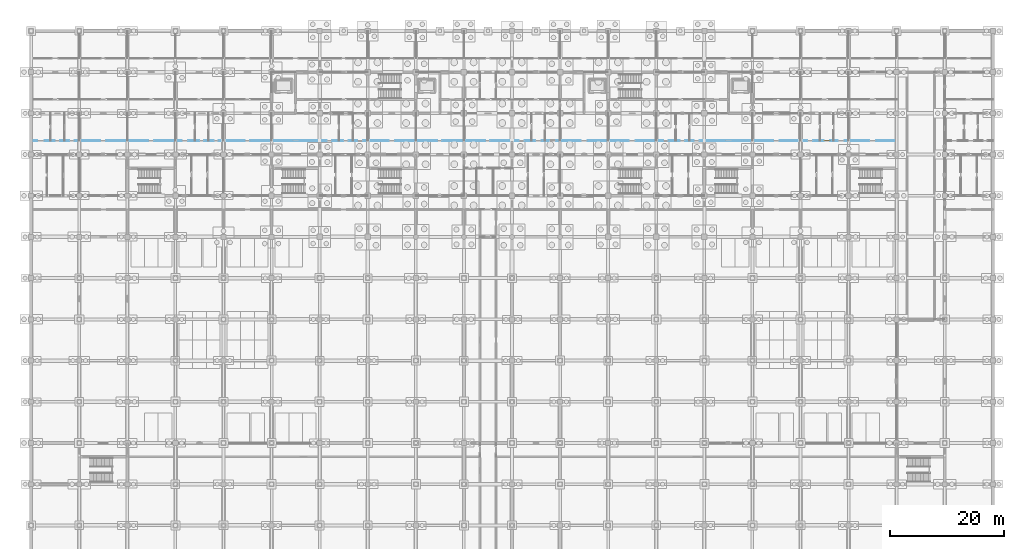
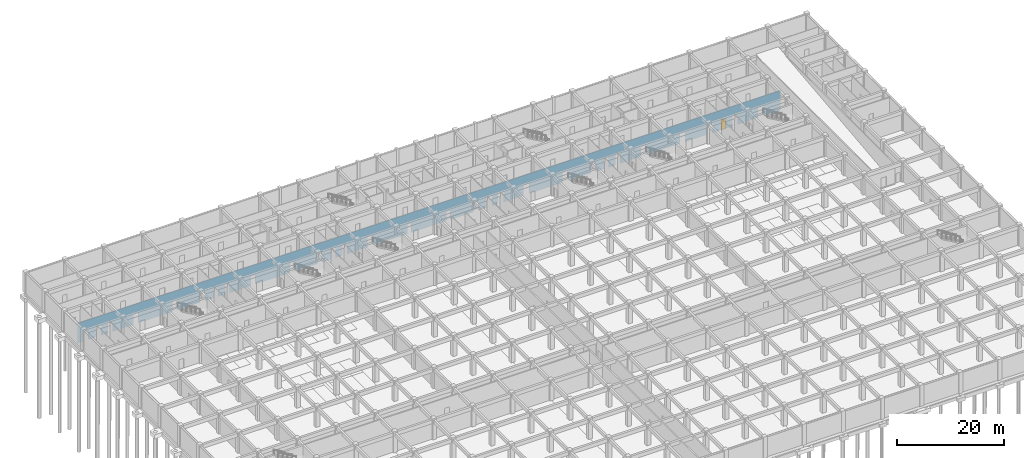
# One storey, part 68 of 85: 1 door, 30 openings, plus 1 element that does not belong to this part.
"""IFC4 building model written with IfcOpenShell, lengths in metres."""

from ifc_helpers import new_model, si_unit, direction, frame, frame_2d, origin, place, context, subcontext, project, spatial, rectangle, extrude, material, layer, layer_set, type_object, element, fill, save


model = new_model("IFC4")

# Units and contexts
model_context = context("Model", 3, precision=1e-05, world=origin(), true_north=direction((0.0, 1.0)))
body_context = subcontext(model_context, "Body", "Model", "MODEL_VIEW")
ifc_project = project(units=[si_unit("LENGTHUNIT", "METRE"), si_unit("AREAUNIT", "SQUARE_METRE"), si_unit("VOLUMEUNIT", "CUBIC_METRE"), si_unit("PLANEANGLEUNIT", "RADIAN"), si_unit("MASSUNIT", "GRAM", prefix="KILO")], contexts=[model_context])

# Site, building, storey
site_placement = place(None, origin())
site = spatial("IfcSite", under=ifc_project, at=site_placement, CompositionType="ELEMENT")
building_placement = place(site_placement, origin())
building = spatial("IfcBuilding", under=site, at=building_placement, Name="Chengyuan Square Courthouse", CompositionType="ELEMENT")
storey_placement = place(building_placement, frame((0.0, 0.0, -10.199951171875)))
storey = spatial("IfcBuildingStorey", under=building, at=storey_placement, Name="B02", CompositionType="ELEMENT", Elevation=-10.199951171875)

# Wall, openings, door
ifc_material_1 = material(Name="Gypsum Plasterboard Acoustic Stud Partition")
ifc_layer = layer(ifc_material_1, 0.10009765625)
ifc_layer_set = layer_set([ifc_layer], Name="Gypsum Plasterboard Acoustic Stud Partition")
wall_type = type_object("IfcWallType", Name="WL-PT6", PredefinedType="STANDARD", material=ifc_layer_set)
wall_placement = place(storey_placement, frame((0.0400390625, 96.0, 0.0), z_axis=(0.0, 0.0, 1.0), x_axis=(1.0, 0.0, 0.0)))
wall = element("IfcWall", 1, at=wall_placement, inside=storey, type_object=wall_type, Name="Interior Wall WL-B02-I062", PredefinedType="STANDARD", context=body_context, shape_type="SweptSolid", body=[
    extrude(rectangle(XDim=151.159912109375, YDim=0.10009765625, at=frame_2d((75.580078125, 0.0))), origin(), (0.0, 0.0, 1.0), 4.47998046875),
])
opening_1_placement = place(wall_placement, frame((1.0400390625, 0.0, 0.0)))
element("IfcOpeningElement", 2, at=opening_1_placement, cuts=wall, Name="Opening DR-148", PredefinedType="OPENING", context=body_context, shape_type="SweptSolid", body=[
    extrude(rectangle(XDim=1.280029296875, YDim=2.35009765625, at=frame_2d((0.64013671875, 1.175048828125))), frame((0.0, 0.06201171875, 0.0), z_axis=(0.0, -1.0, 0.0), x_axis=(1.0, 0.0, 0.0)), (0.0, 0.0, 1.0), 0.1240234375),
])
opening_2_placement = place(wall_placement, frame((4.090087890625, 0.0, 0.0)))
element("IfcOpeningElement", 3, at=opening_2_placement, cuts=wall, Name="Opening DR-149", PredefinedType="OPENING", context=body_context, shape_type="SweptSolid", body=[
    extrude(rectangle(XDim=0.93994140625, YDim=2.300048828125, at=frame_2d((0.469970703125, 1.14990234375))), frame((0.0, 0.06201171875, 0.0), z_axis=(0.0, -1.0, 0.0), x_axis=(1.0, 0.0, 0.0)), (0.0, 0.0, 1.0), 0.1240234375),
])
opening_3_placement = place(wall_placement, frame((6.570068359375, 0.0, 0.0)))
element("IfcOpeningElement", 4, at=opening_3_placement, cuts=wall, Name="Opening DR-150", PredefinedType="OPENING", context=body_context, shape_type="SweptSolid", body=[
    extrude(rectangle(XDim=0.97998046875, YDim=2.35009765625, at=frame_2d((0.489990234375, 1.175048828125))), frame((0.0, 0.06201171875, 0.0), z_axis=(0.0, -1.0, 0.0), x_axis=(1.0, 0.0, 0.0)), (0.0, 0.0, 1.0), 0.1240234375),
])
opening_4_placement = place(wall_placement, frame((12.050048828125, 0.0, 0.0)))
element("IfcOpeningElement", 5, at=opening_4_placement, cuts=wall, Name="Opening DR-151", PredefinedType="OPENING", context=body_context, shape_type="SweptSolid", body=[
    extrude(rectangle(XDim=1.02001953125, YDim=2.39990234375, at=frame_2d((0.510009765625, 1.199951171875))), frame((0.0, 0.06201171875, 0.0), z_axis=(0.0, -1.0, 0.0), x_axis=(1.0, 0.0, 0.0)), (0.0, 0.0, 1.0), 0.1240234375),
])
opening_5_placement = place(wall_placement, frame((20.429931640625, 0.0, 0.0)))
element("IfcOpeningElement", 6, at=opening_5_placement, cuts=wall, Name="Opening DR-152", PredefinedType="OPENING", context=body_context, shape_type="SweptSolid", body=[
    extrude(rectangle(XDim=1.06005859375, YDim=2.39990234375, at=frame_2d((0.530029296875, 1.199951171875))), frame((0.0, 0.06201171875, 0.0), z_axis=(0.0, -1.0, 0.0), x_axis=(1.0, 0.0, 0.0)), (0.0, 0.0, 1.0), 0.1240234375),
])
opening_6_placement = place(wall_placement, frame((26.2900390625, 0.0, 0.0)))
element("IfcOpeningElement", 7, at=opening_6_placement, cuts=wall, Name="Opening DR-153", PredefinedType="OPENING", context=body_context, shape_type="SweptSolid", body=[
    extrude(rectangle(XDim=1.139892578125, YDim=2.39990234375, at=frame_2d((0.56982421875, 1.199951171875))), frame((0.0, 0.06201171875, 0.0), z_axis=(0.0, -1.0, 0.0), x_axis=(1.0, 0.0, 0.0)), (0.0, 0.0, 1.0), 0.1240234375),
])
opening_7_placement = place(wall_placement, frame((29.31005859375, 0.0, 0.0)))
element("IfcOpeningElement", 8, at=opening_7_placement, cuts=wall, Name="Opening DR-154", PredefinedType="OPENING", context=body_context, shape_type="SweptSolid", body=[
    extrude(rectangle(XDim=0.89990234375, YDim=2.14990234375, at=frame_2d((0.449951171875, 1.074951171875))), frame((0.0, 0.06201171875, 0.0), z_axis=(0.0, -1.0, 0.0), x_axis=(1.0, 0.0, 0.0)), (0.0, 0.0, 1.0), 0.1240234375),
])
opening_8_placement = place(wall_placement, frame((31.830078125, 0.0, 0.0)))
element("IfcOpeningElement", 9, at=opening_8_placement, cuts=wall, Name="Opening DR-155", PredefinedType="OPENING", context=body_context, shape_type="SweptSolid", body=[
    extrude(rectangle(XDim=0.860107421875, YDim=2.10009765625, at=frame_2d((0.43017578125, 1.050048828125))), frame((0.0, 0.06201171875, 0.0), z_axis=(0.0, -1.0, 0.0), x_axis=(1.0, 0.0, 0.0)), (0.0, 0.0, 1.0), 0.1240234375),
])
opening_9_placement = place(wall_placement, frame((37.300048828125, 0.0, 0.0)))
element("IfcOpeningElement", 10, at=opening_9_placement, cuts=wall, Name="Opening DR-156", PredefinedType="OPENING", context=body_context, shape_type="SweptSolid", body=[
    extrude(rectangle(XDim=0.919921875, YDim=2.14990234375, at=frame_2d((0.4599609375, 1.074951171875))), frame((0.0, 0.06201171875, 0.0), z_axis=(0.0, -1.0, 0.0), x_axis=(1.0, 0.0, 0.0)), (0.0, 0.0, 1.0), 0.1240234375),
])
opening_10_placement = place(wall_placement, frame((45.679931640625, 0.0, 0.0)))
element("IfcOpeningElement", 11, at=opening_10_placement, cuts=wall, Name="Opening DR-157", PredefinedType="OPENING", context=body_context, shape_type="SweptSolid", body=[
    extrude(rectangle(XDim=0.9599609375, YDim=2.199951171875, at=frame_2d((0.47998046875, 1.10009765625))), frame((0.0, 0.06201171875, 0.0), z_axis=(0.0, -1.0, 0.0), x_axis=(1.0, 0.0, 0.0)), (0.0, 0.0, 1.0), 0.1240234375),
])
opening_11_placement = place(wall_placement, frame((51.570068359375, 0.0, 0.0)))
element("IfcOpeningElement", 12, at=opening_11_placement, cuts=wall, Name="Opening DR-167", PredefinedType="OPENING", context=body_context, shape_type="SweptSolid", body=[
    extrude(rectangle(XDim=0.97998046875, YDim=2.35009765625, at=frame_2d((0.489990234375, 1.175048828125))), frame((0.0, 0.06201171875, 0.0), z_axis=(0.0, -1.0, 0.0), x_axis=(1.0, 0.0, 0.0)), (0.0, 0.0, 1.0), 0.1240234375),
])
opening_12_placement = place(wall_placement, frame((54.449951171875, 0.0, 0.0)))
element("IfcOpeningElement", 13, at=opening_12_placement, cuts=wall, Name="Opening DR-168", PredefinedType="OPENING", context=body_context, shape_type="SweptSolid", body=[
    extrude(rectangle(XDim=1.02001953125, YDim=2.39990234375, at=frame_2d((0.510009765625, 1.199951171875))), frame((0.0, 0.06201171875, 0.0), z_axis=(0.0, -1.0, 0.0), x_axis=(1.0, 0.0, 0.0)), (0.0, 0.0, 1.0), 0.1240234375),
])
opening_13_placement = place(wall_placement, frame((56.929931640625, 0.0, 0.0)))
element("IfcOpeningElement", 14, at=opening_13_placement, cuts=wall, Name="Opening DR-169", PredefinedType="OPENING", context=body_context, shape_type="SweptSolid", body=[
    extrude(rectangle(XDim=1.06005859375, YDim=2.39990234375, at=frame_2d((0.530029296875, 1.199951171875))), frame((0.0, 0.06201171875, 0.0), z_axis=(0.0, -1.0, 0.0), x_axis=(1.0, 0.0, 0.0)), (0.0, 0.0, 1.0), 0.1240234375),
])
opening_14_placement = place(wall_placement, frame((62.389892578125, 0.0, 0.0)))
element("IfcOpeningElement", 15, at=opening_14_placement, cuts=wall, Name="Opening DR-170", PredefinedType="OPENING", context=body_context, shape_type="SweptSolid", body=[
    extrude(rectangle(XDim=1.139892578125, YDim=2.39990234375, at=frame_2d((0.56982421875, 1.199951171875))), frame((0.0, 0.06201171875, 0.0), z_axis=(0.0, -1.0, 0.0), x_axis=(1.0, 0.0, 0.0)), (0.0, 0.0, 1.0), 0.1240234375),
])
opening_15_placement = place(wall_placement, frame((70.909912109375, 0.0, 0.0)))
element("IfcOpeningElement", 16, at=opening_15_placement, cuts=wall, Name="Opening DR-171", PredefinedType="OPENING", context=body_context, shape_type="SweptSolid", body=[
    extrude(rectangle(XDim=0.89990234375, YDim=2.14990234375, at=frame_2d((0.449951171875, 1.074951171875))), frame((0.0, 0.06201171875, 0.0), z_axis=(0.0, -1.0, 0.0), x_axis=(1.0, 0.0, 0.0)), (0.0, 0.0, 1.0), 0.1240234375),
])
opening_16_placement = place(wall_placement, frame((79.330078125, 0.0, 0.0)))
element("IfcOpeningElement", 17, at=opening_16_placement, cuts=wall, Name="Opening DR-172", PredefinedType="OPENING", context=body_context, shape_type="SweptSolid", body=[
    extrude(rectangle(XDim=0.860107421875, YDim=2.10009765625, at=frame_2d((0.43017578125, 1.050048828125))), frame((0.0, 0.06201171875, 0.0), z_axis=(0.0, -1.0, 0.0), x_axis=(1.0, 0.0, 0.0)), (0.0, 0.0, 1.0), 0.1240234375),
])
opening_17_placement = place(wall_placement, frame((85.10009765625, 0.0, 0.0)))
element("IfcOpeningElement", 18, at=opening_17_placement, cuts=wall, Name="Opening DR-178", PredefinedType="OPENING", context=body_context, shape_type="SweptSolid", body=[
    extrude(rectangle(XDim=1.1201171875, YDim=2.25, at=frame_2d((0.56005859375, 1.125))), frame((0.0, 0.06201171875, 0.0), z_axis=(0.0, -1.0, 0.0), x_axis=(1.0, 0.0, 0.0)), (0.0, 0.0, 1.0), 0.1240234375),
])
opening_18_placement = place(wall_placement, frame((87.97998046875, 0.0, 0.0)))
element("IfcOpeningElement", 19, at=opening_18_placement, cuts=wall, Name="Opening DR-179", PredefinedType="OPENING", context=body_context, shape_type="SweptSolid", body=[
    extrude(rectangle(XDim=1.159912109375, YDim=2.300048828125, at=frame_2d((0.580078125, 1.14990234375))), frame((0.0, 0.06201171875, 0.0), z_axis=(0.0, -1.0, 0.0), x_axis=(1.0, 0.0, 0.0)), (0.0, 0.0, 1.0), 0.1240234375),
])
opening_19_placement = place(wall_placement, frame((90.4599609375, 0.0, 0.0)))
element("IfcOpeningElement", 20, at=opening_19_placement, cuts=wall, Name="Opening DR-180", PredefinedType="OPENING", context=body_context, shape_type="SweptSolid", body=[
    extrude(rectangle(XDim=1.199951171875, YDim=2.35009765625, at=frame_2d((0.60009765625, 1.175048828125))), frame((0.0, 0.06201171875, 0.0), z_axis=(0.0, -1.0, 0.0), x_axis=(1.0, 0.0, 0.0)), (0.0, 0.0, 1.0), 0.1240234375),
])
opening_20_placement = place(wall_placement, frame((95.93994140625, 0.0, 0.0)))
element("IfcOpeningElement", 21, at=opening_20_placement, cuts=wall, Name="Opening DR-181", PredefinedType="OPENING", context=body_context, shape_type="SweptSolid", body=[
    extrude(rectangle(XDim=1.239990234375, YDim=2.300048828125, at=frame_2d((0.6201171875, 1.14990234375))), frame((0.0, 0.06201171875, 0.0), z_axis=(0.0, -1.0, 0.0), x_axis=(1.0, 0.0, 0.0)), (0.0, 0.0, 1.0), 0.1240234375),
])
opening_21_placement = place(wall_placement, frame((104.320068359375, 0.0, 0.0)))
element("IfcOpeningElement", 22, at=opening_21_placement, cuts=wall, Name="Opening DR-182", PredefinedType="OPENING", context=body_context, shape_type="SweptSolid", body=[
    extrude(rectangle(XDim=1.280029296875, YDim=2.35009765625, at=frame_2d((0.64013671875, 1.175048828125))), frame((0.0, 0.06201171875, 0.0), z_axis=(0.0, -1.0, 0.0), x_axis=(1.0, 0.0, 0.0)), (0.0, 0.0, 1.0), 0.1240234375),
])
opening_22_placement = place(wall_placement, frame((110.389892578125, 0.0, 0.0)))
element("IfcOpeningElement", 23, at=opening_22_placement, cuts=wall, Name="Opening DR-183", PredefinedType="OPENING", context=body_context, shape_type="SweptSolid", body=[
    extrude(rectangle(XDim=0.93994140625, YDim=2.300048828125, at=frame_2d((0.469970703125, 1.14990234375))), frame((0.0, 0.06201171875, 0.0), z_axis=(0.0, -1.0, 0.0), x_axis=(1.0, 0.0, 0.0)), (0.0, 0.0, 1.0), 0.1240234375),
])
opening_23_placement = place(wall_placement, frame((113.27001953125, 0.0, 0.0)))
element("IfcOpeningElement", 24, at=opening_23_placement, cuts=wall, Name="Opening DR-184", PredefinedType="OPENING", context=body_context, shape_type="SweptSolid", body=[
    extrude(rectangle(XDim=0.97998046875, YDim=2.35009765625, at=frame_2d((0.489990234375, 1.175048828125))), frame((0.0, 0.06201171875, 0.0), z_axis=(0.0, -1.0, 0.0), x_axis=(1.0, 0.0, 0.0)), (0.0, 0.0, 1.0), 0.1240234375),
])
opening_24_placement = place(wall_placement, frame((115.75, 0.0, 0.0)))
element("IfcOpeningElement", 25, at=opening_24_placement, cuts=wall, Name="Opening DR-185", PredefinedType="OPENING", context=body_context, shape_type="SweptSolid", body=[
    extrude(rectangle(XDim=1.02001953125, YDim=2.39990234375, at=frame_2d((0.510009765625, 1.199951171875))), frame((0.0, 0.06201171875, 0.0), z_axis=(0.0, -1.0, 0.0), x_axis=(1.0, 0.0, 0.0)), (0.0, 0.0, 1.0), 0.1240234375),
])
opening_25_placement = place(wall_placement, frame((121.239990234375, 0.0, 0.0)))
element("IfcOpeningElement", 26, at=opening_25_placement, cuts=wall, Name="Opening DR-193", PredefinedType="OPENING", context=body_context, shape_type="SweptSolid", body=[
    extrude(rectangle(XDim=1.0400390625, YDim=2.199951171875, at=frame_2d((0.52001953125, 1.10009765625))), frame((0.0, 0.06201171875, 0.0), z_axis=(0.0, -1.0, 0.0), x_axis=(1.0, 0.0, 0.0)), (0.0, 0.0, 1.0), 0.1240234375),
])
opening_26_placement = place(wall_placement, frame((129.6201171875, 0.0, 0.0)))
element("IfcOpeningElement", 27, at=opening_26_placement, cuts=wall, Name="Opening DR-194", PredefinedType="OPENING", context=body_context, shape_type="SweptSolid", body=[
    extrude(rectangle(XDim=1.080078125, YDim=2.25, at=frame_2d((0.5400390625, 1.125))), frame((0.0, 0.06201171875, 0.0), z_axis=(0.0, -1.0, 0.0), x_axis=(1.0, 0.0, 0.0)), (0.0, 0.0, 1.0), 0.1240234375),
])
opening_27_placement = place(wall_placement, frame((135.5, 0.0, 0.0)))
element("IfcOpeningElement", 28, at=opening_27_placement, cuts=wall, Name="Opening DR-195", PredefinedType="OPENING", context=body_context, shape_type="SweptSolid", body=[
    extrude(rectangle(XDim=1.1201171875, YDim=2.25, at=frame_2d((0.56005859375, 1.125))), frame((0.0, 0.06201171875, 0.0), z_axis=(0.0, -1.0, 0.0), x_axis=(1.0, 0.0, 0.0)), (0.0, 0.0, 1.0), 0.1240234375),
])
opening_28_placement = place(wall_placement, frame((138.3798828125, 0.0, 0.0)))
opening_28 = element("IfcOpeningElement", 29, at=opening_28_placement, cuts=wall, Name="Opening DR-196", PredefinedType="OPENING", context=body_context, shape_type="SweptSolid", body=[
    extrude(rectangle(XDim=1.159912109375, YDim=2.300048828125, at=frame_2d((0.580078125, 1.14990234375))), frame((0.0, 0.06201171875, 0.0), z_axis=(0.0, -1.0, 0.0), x_axis=(1.0, 0.0, 0.0)), (0.0, 0.0, 1.0), 0.1240234375),
])
opening_29_placement = place(wall_placement, frame((140.860107421875, 0.0, 0.0)))
element("IfcOpeningElement", 30, at=opening_29_placement, cuts=wall, Name="Opening DR-197", PredefinedType="OPENING", context=body_context, shape_type="SweptSolid", body=[
    extrude(rectangle(XDim=1.199951171875, YDim=2.35009765625, at=frame_2d((0.60009765625, 1.175048828125))), frame((0.0, 0.06201171875, 0.0), z_axis=(0.0, -1.0, 0.0), x_axis=(1.0, 0.0, 0.0)), (0.0, 0.0, 1.0), 0.1240234375),
])
opening_30_placement = place(wall_placement, frame((146.340087890625, 0.0, 0.0)))
element("IfcOpeningElement", 31, at=opening_30_placement, cuts=wall, Name="Opening DR-198", PredefinedType="OPENING", context=body_context, shape_type="SweptSolid", body=[
    extrude(rectangle(XDim=1.239990234375, YDim=2.300048828125, at=frame_2d((0.6201171875, 1.14990234375))), frame((0.0, 0.06201171875, 0.0), z_axis=(0.0, -1.0, 0.0), x_axis=(1.0, 0.0, 0.0)), (0.0, 0.0, 1.0), 0.1240234375),
])
ifc_material_2 = material(Name="Acoustic Solid-Core Timber Door", Category="wood")
door_type = type_object("IfcDoorType", Name="DT-35", OperationType="NOTDEFINED", PredefinedType="DOOR", material=ifc_material_2)
door_placement = place(opening_28_placement, origin())
door = element("IfcDoor", 32, at=door_placement, inside=storey, type_object=door_type, Name="Interior Door DR-196", OperationType="SINGLE_SWING_LEFT", OverallHeight=2.300048828125, OverallWidth=1.159912109375, PredefinedType="DOOR", context=body_context, shape_type="SweptSolid", body=[
    extrude(rectangle(XDim=1.159912109375, YDim=2.300048828125, at=frame_2d((0.580078125, 1.14990234375))), frame((0.0, 0.02490234375, 0.0), z_axis=(0.0, -1.0, 0.0), x_axis=(1.0, 0.0, 0.0)), (0.0, 0.0, 1.0), 0.050048828125),
])
fill(opening_28, door)

save(model, "model.ifc")
